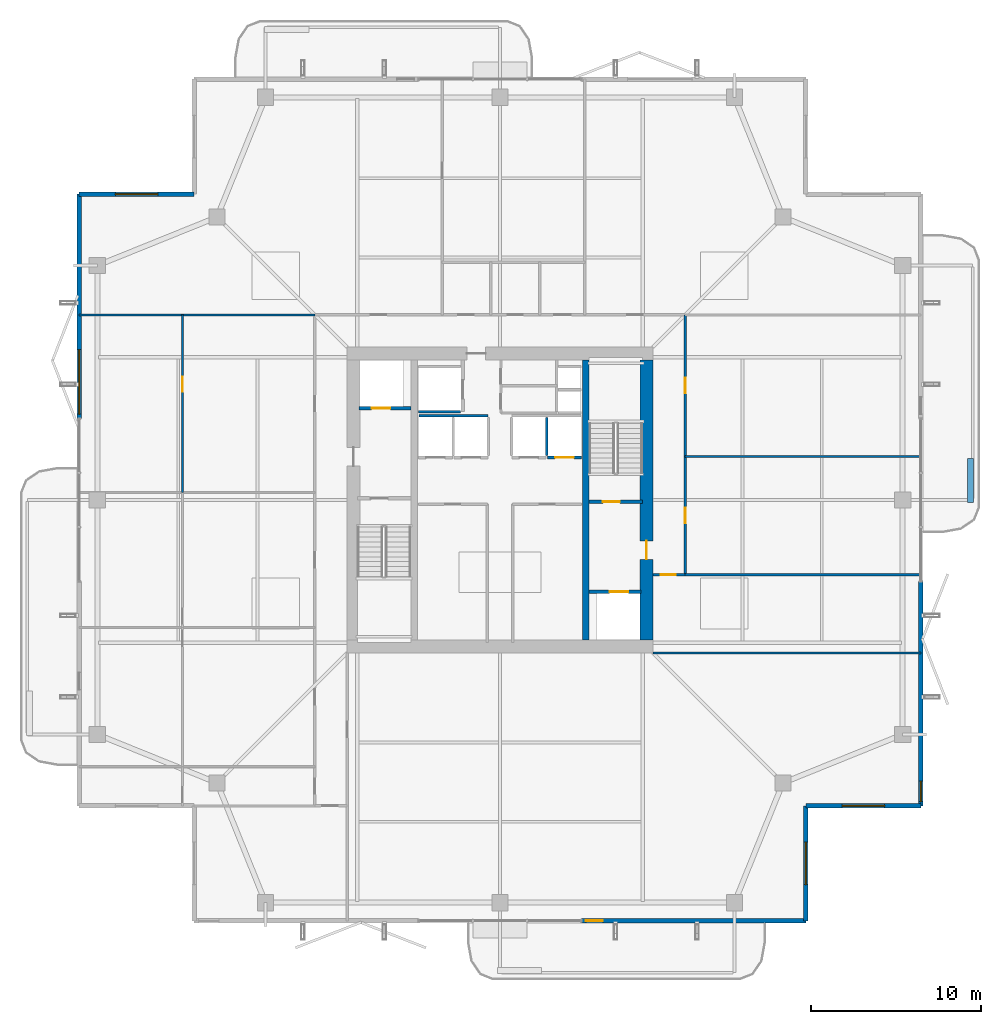
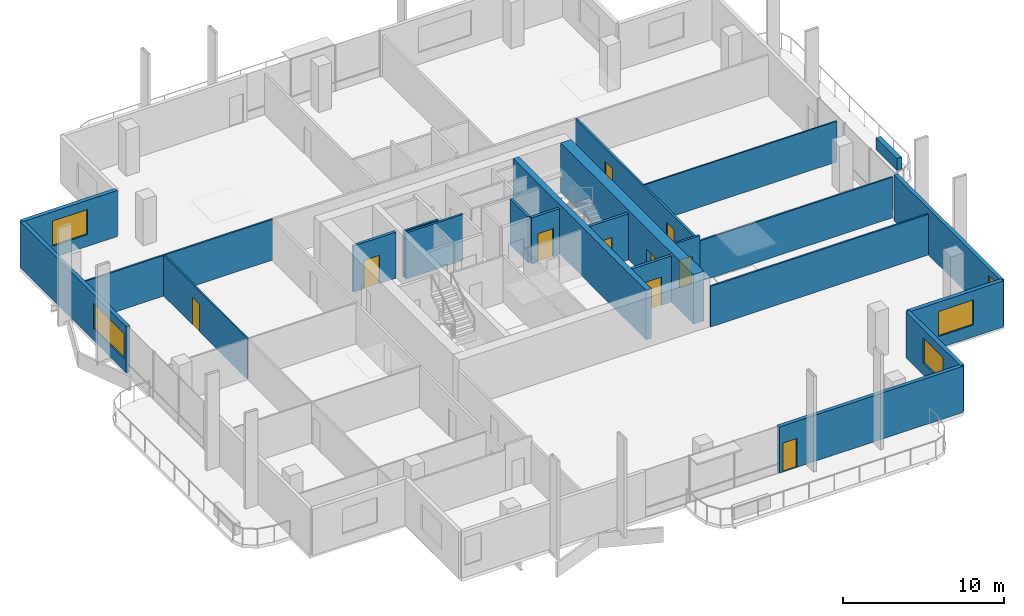
# One storey, part 19 of 25: 23 walls, 10 doors, 5 windows, 15 openings.
"""IFC4 building model written with IfcOpenShell, lengths in metres."""

from ifc_helpers import new_model, si_unit, direction, frame, frame_2d, origin, place, context, subcontext, project, spatial, rectangle, extrude, material, layer, layer_set, type_object, element, fill, save


model = new_model("IFC4")

# Units and contexts
model_context = context("Model", 3, precision=1e-05, world=origin(), true_north=direction((0.0, 1.0)))
body_context = subcontext(model_context, "Body", "Model", "MODEL_VIEW")
ifc_project = project(units=[si_unit("LENGTHUNIT", "METRE"), si_unit("AREAUNIT", "SQUARE_METRE"), si_unit("VOLUMEUNIT", "CUBIC_METRE"), si_unit("PLANEANGLEUNIT", "RADIAN"), si_unit("MASSUNIT", "GRAM", prefix="KILO")], contexts=[model_context])

# Site, building, storey
site_placement = place(None, origin())
site = spatial("IfcSite", under=ifc_project, at=site_placement, CompositionType="ELEMENT")
building_placement = place(site_placement, origin())
building = spatial("IfcBuilding", under=site, at=building_placement, Name="Belovzor Exchange Tower", CompositionType="ELEMENT")
storey_placement = place(building_placement, frame((0.0, 0.0, 257.85009765625)))
storey = spatial("IfcBuildingStorey", under=building, at=storey_placement, Name="L64", CompositionType="ELEMENT", Elevation=257.85009765625)

# Walls
ifc_material_1 = material(Name="Acoustic Plasterboard on Galvanised Studs", Category="gypsum")
ifc_layer_1 = layer(ifc_material_1, 0.1201171875)
ifc_layer_set_1 = layer_set([ifc_layer_1], Name="Acoustic Plasterboard on Galvanised Studs")
wall_type_1 = type_object("IfcWallType", Name="Acoustic Double-Stud Partition Wall 120", PredefinedType="PARTITIONING", material=ifc_layer_set_1)
wall_1_placement = place(storey_placement, frame((37.800048828125, 19.800048828125, 0.0), z_axis=(0.0, 0.0, 1.0), x_axis=(1.0, 0.0, 0.0)))
element("IfcWall", 1, at=wall_1_placement, inside=storey, type_object=wall_type_1, Name="W-P120 Partition Wall W-L64-ESS", PredefinedType="PARTITIONING", context=body_context, shape_type="SweptSolid", body=[
    extrude(rectangle(XDim=15.77001953125, YDim=0.1201171875, at=frame_2d((7.885009765625, 0.0))), origin(), (0.0, 0.0, 1.0), 3.0849609375),
])
wall_2_placement = place(storey_placement, frame((39.699951171875, 24.39990234375, 0.0), z_axis=(0.0, 0.0, 1.0), x_axis=(1.0, 0.0, 0.0)))
element("IfcWall", 2, at=wall_2_placement, inside=storey, type_object=wall_type_1, Name="W-P120 Partition Wall W-L64-ESN", PredefinedType="PARTITIONING", context=body_context, shape_type="SweptSolid", body=[
    extrude(rectangle(XDim=13.8701171875, YDim=0.1201171875, at=frame_2d((6.93505859375, 0.0))), origin(), (0.0, 0.0, 1.0), 3.0849609375),
])
wall_3_placement = place(storey_placement, frame((4.030029296875, 39.699951171875, 0.0), z_axis=(0.0, 0.0, 1.0), x_axis=(1.0, 0.0, 0.0)))
element("IfcWall", 3, at=wall_3_placement, inside=storey, type_object=wall_type_1, Name="W-P120 Partition Wall W-L64-END-NW", PredefinedType="PARTITIONING", context=body_context, shape_type="SweptSolid", body=[
    extrude(rectangle(XDim=13.869873046875, YDim=0.1201171875, at=frame_2d((6.93505859375, 0.0))), origin(), (0.0, 0.0, 1.0), 3.0849609375),
])

# Wall, opening, door
ifc_material_2 = material(Name="Acoustic Laminated Glass and Aluminium", Category="aluminium")
ifc_layer_2 = layer(ifc_material_2, 0.10009765625)
ifc_layer_set_2 = layer_set([ifc_layer_2], Name="Acoustic Laminated Glass and Aluminium")
wall_type_2 = type_object("IfcWallType", Name="Demountable Executive Glass Partition 100", PredefinedType="MOVABLE", material=ifc_layer_set_2)
wall_4_placement = place(storey_placement, frame((10.114990234375, 29.235107421875, 0.0), z_axis=(0.0, 0.0, 1.0), x_axis=(0.0, 1.0, 0.0)))
wall_4 = element("IfcWall", 4, at=wall_4_placement, inside=storey, type_object=wall_type_2, Name="W-M100 Partition Wall W-L64-WHDIV-3", PredefinedType="MOVABLE", context=body_context, shape_type="SweptSolid", body=[
    extrude(rectangle(XDim=10.46484375, YDim=0.10009765625, at=frame_2d((5.232421875, 0.0))), origin(), (0.0, 0.0, 1.0), 3.0849609375),
])
opening_1_placement = place(wall_4_placement, frame((5.927978515625, 0.0, 0.0)))
opening_1 = element("IfcOpeningElement", 5, at=opening_1_placement, cuts=wall_4, Name="Opening D-INT-090", PredefinedType="OPENING", context=body_context, shape_type="SweptSolid", body=[
    extrude(rectangle(XDim=0.89990234375, YDim=2.10009765625, at=frame_2d((0.449951171875, 1.050048828125))), frame((0.0, 0.06005859375, 0.0), z_axis=(0.0, -1.0, 0.0), x_axis=(1.0, 0.0, 0.0)), (0.0, 0.0, 1.0), 0.1201171875),
])
ifc_material_3 = material(Name="Veneered Hardwood Acoustic Leaf", Category="wood")
door_type_1 = type_object("IfcDoorType", Name="Trading Suite Acoustic Single Door 900x2100", OperationType="NOTDEFINED", PredefinedType="DOOR", material=ifc_material_3)
door_1_placement = place(opening_1_placement, origin())
door_1 = element("IfcDoor", 6, at=door_1_placement, inside=storey, type_object=door_type_1, Name="D-INT-090 Trading Suite Acoustic Single Door 900x2100", OperationType="SINGLE_SWING_LEFT", OverallHeight=2.10009765625, OverallWidth=0.89990234375, PredefinedType="DOOR", context=body_context, shape_type="SweptSolid", body=[
    extrude(rectangle(XDim=0.89990234375, YDim=2.10009765625, at=frame_2d((0.449951171875, 1.050048828125))), frame((0.0, 0.02490234375, 0.0), z_axis=(0.0, -1.0, 0.0), x_axis=(1.0, 0.0, 0.0)), (0.0, 0.0, 1.0), 0.050048828125),
])
fill(opening_1, door_1)

# Wall
wall_5_placement = place(storey_placement, frame((39.699951171875, 31.364013671875, 0.0), z_axis=(0.0, 0.0, 1.0), x_axis=(1.0, 0.0, 0.0)))
element("IfcWall", 7, at=wall_5_placement, inside=storey, type_object=wall_type_2, Name="W-M100 Partition Wall W-L64-EDIV-1", PredefinedType="MOVABLE", context=body_context, shape_type="SweptSolid", body=[
    extrude(rectangle(XDim=13.8701171875, YDim=0.10009765625, at=frame_2d((6.93505859375, 0.0))), origin(), (0.0, 0.0, 1.0), 3.0849609375),
])

# Wall, opening, door
ifc_material_4 = material(Name="Fire-Rated Gypsum Block and Mineral Wool", Category="gypsum")
ifc_layer_3 = layer(ifc_material_4, 0.14990234375)
ifc_layer_set_3 = layer_set([ifc_layer_3], Name="Fire-Rated Gypsum Block and Mineral Wool")
wall_type_3 = type_object("IfcWallType", Name="Fire-Rated Gypsum Block Corridor Wall 150", PredefinedType="PARTITIONING", material=ifc_layer_set_3)
wall_6_placement = place(storey_placement, frame((37.800048828125, 24.39990234375, 0.0), z_axis=(0.0, 0.0, 1.0), x_axis=(1.0, 0.0, 0.0)))
wall_6 = element("IfcWall", 8, at=wall_6_placement, inside=storey, type_object=wall_type_3, Name="W-P150 Partition Wall W-L64-CE-END", PredefinedType="PARTITIONING", context=body_context, shape_type="SweptSolid", body=[
    extrude(rectangle(XDim=1.89990234375, YDim=0.14990234375, at=frame_2d((0.949951171875, 0.0))), origin(), (0.0, 0.0, 1.0), 3.5),
])
opening_2_placement = place(wall_6_placement, frame((0.449951171875, 0.0, 0.0)))
opening_2 = element("IfcOpeningElement", 9, at=opening_2_placement, cuts=wall_6, Name="Opening D-FD60-090", PredefinedType="OPENING", context=body_context, shape_type="SweptSolid", body=[
    extrude(rectangle(XDim=0.89990234375, YDim=2.10009765625, at=frame_2d((0.449951171875, 1.050048828125))), frame((0.0, 0.0849609375, 0.0), z_axis=(0.0, -1.0, 0.0), x_axis=(1.0, 0.0, 0.0)), (0.0, 0.0, 1.0), 0.169921875),
])
ifc_material_5 = material(Name="Acoustic Timber Fire Leaf", Category="wood")
door_type_2 = type_object("IfcDoorType", Name="Core Service & Restroom Fire Door 900x2100", OperationType="NOTDEFINED", PredefinedType="DOOR", material=ifc_material_5)
door_2_placement = place(opening_2_placement, origin())
door_2 = element("IfcDoor", 10, at=door_2_placement, inside=storey, type_object=door_type_2, Name="D-FD60-090 Core Service & Restroom Fire Door 900x2100", OperationType="SINGLE_SWING_LEFT", OverallHeight=2.10009765625, OverallWidth=0.89990234375, PredefinedType="DOOR", context=body_context, shape_type="SweptSolid", body=[
    extrude(rectangle(XDim=0.89990234375, YDim=2.10009765625, at=frame_2d((0.449951171875, 1.050048828125))), frame((0.0, 0.02490234375, 0.0), z_axis=(0.0, -1.0, 0.0), x_axis=(1.0, 0.0, 0.0)), (0.0, 0.0, 1.0), 0.050048828125),
])
fill(opening_2, door_2)

# Wall, openings, doors
wall_7_placement = place(storey_placement, frame((39.699951171875, 24.39990234375, 0.0), z_axis=(0.0, 0.0, 1.0), x_axis=(0.0, 1.0, 0.0)))
wall_7 = element("IfcWall", 11, at=wall_7_placement, inside=storey, type_object=wall_type_3, Name="W-P150 Partition Wall W-L64-CE", PredefinedType="PARTITIONING", context=body_context, shape_type="SweptSolid", body=[
    extrude(rectangle(XDim=15.300048828125, YDim=0.14990234375, at=frame_2d((7.64990234375, 0.0))), origin(), (0.0, 0.0, 1.0), 3.0849609375),
])
opening_3_placement = place(wall_7_placement, frame((3.031982421875, 0.0, 0.0)))
opening_3 = element("IfcOpeningElement", 12, at=opening_3_placement, cuts=wall_7, Name="Opening D-INT-090", PredefinedType="OPENING", context=body_context, shape_type="SweptSolid", body=[
    extrude(rectangle(XDim=0.89990234375, YDim=2.10009765625, at=frame_2d((0.449951171875, 1.050048828125))), frame((0.0, 0.0849609375, 0.0), z_axis=(0.0, -1.0, 0.0), x_axis=(1.0, 0.0, 0.0)), (0.0, 0.0, 1.0), 0.169921875),
])
opening_4_placement = place(wall_7_placement, frame((10.681884765625, 0.0, 0.0)))
opening_4 = element("IfcOpeningElement", 13, at=opening_4_placement, cuts=wall_7, Name="Opening D-INT-090", PredefinedType="OPENING", context=body_context, shape_type="SweptSolid", body=[
    extrude(rectangle(XDim=0.89990234375, YDim=2.10009765625, at=frame_2d((0.449951171875, 1.050048828125))), frame((0.0, 0.0849609375, 0.0), z_axis=(0.0, -1.0, 0.0), x_axis=(1.0, 0.0, 0.0)), (0.0, 0.0, 1.0), 0.169921875),
])
door_3_placement = place(opening_3_placement, origin())
door_3 = element("IfcDoor", 14, at=door_3_placement, inside=storey, type_object=door_type_1, Name="D-INT-090 Trading Suite Acoustic Single Door 900x2100", OperationType="SINGLE_SWING_RIGHT", OverallHeight=2.10009765625, OverallWidth=0.89990234375, PredefinedType="DOOR", context=body_context, shape_type="SweptSolid", body=[
    extrude(rectangle(XDim=0.89990234375, YDim=2.10009765625, at=frame_2d((0.449951171875, 1.050048828125))), frame((0.0, 0.02490234375, 0.0), z_axis=(0.0, -1.0, 0.0), x_axis=(1.0, 0.0, 0.0)), (0.0, 0.0, 1.0), 0.050048828125),
])
fill(opening_3, door_3)
door_4_placement = place(opening_4_placement, origin())
door_4 = element("IfcDoor", 15, at=door_4_placement, inside=storey, type_object=door_type_1, Name="D-INT-090 Trading Suite Acoustic Single Door 900x2100", OperationType="SINGLE_SWING_LEFT", OverallHeight=2.10009765625, OverallWidth=0.89990234375, PredefinedType="DOOR", context=body_context, shape_type="SweptSolid", body=[
    extrude(rectangle(XDim=0.89990234375, YDim=2.10009765625, at=frame_2d((0.449951171875, 1.050048828125))), frame((0.0, 0.02490234375, 0.0), z_axis=(0.0, -1.0, 0.0), x_axis=(1.0, 0.0, 0.0)), (0.0, 0.0, 1.0), 0.050048828125),
])
fill(opening_4, door_4)

# Wall, opening, window
ifc_material_6 = material(Name="Precast concrete C40/50", Category="concrete")
ifc_layer_4 = layer(ifc_material_6, 0.280029296875)
ifc_layer_set_4 = layer_set([ifc_layer_4], Name="Precast concrete C40/50")
wall_type_4 = type_object("IfcWallType", Name="Precast Concrete Notched Corner Frame Wall 280", PredefinedType="SOLIDWALL", material=ifc_layer_set_4)
wall_8_placement = place(storey_placement, frame((4.030029296875, 46.800048828125, 0.0), z_axis=(0.0, 0.0, 1.0), x_axis=(1.0, 0.0, 0.0)))
wall_8 = element("IfcWall", 16, at=wall_8_placement, inside=storey, type_object=wall_type_4, Name="W-CRN280 Precast Concrete Notched Corner Frame Wall 280 L64", PredefinedType="SOLIDWALL", context=body_context, shape_type="SweptSolid", body=[
    extrude(rectangle(XDim=6.77001953125, YDim=0.280029296875, at=frame_2d((3.385009765625, 0.0))), origin(), (0.0, 0.0, 1.0), 3.5),
])
opening_5_placement = place(wall_8_placement, frame((2.135009765625, 0.0, 0.89990234375)))
opening_5 = element("IfcOpeningElement", 17, at=opening_5_placement, cuts=wall_8, Name="Opening WN-CRN250", PredefinedType="OPENING", context=body_context, shape_type="SweptSolid", body=[
    extrude(rectangle(XDim=2.5, YDim=1.89990234375, at=frame_2d((1.25, 0.949951171875))), frame((0.0, 0.14990234375, 0.0), z_axis=(0.0, -1.0, 0.0), x_axis=(1.0, 0.0, 0.0)), (0.0, 0.0, 1.0), 0.300048828125),
])
ifc_material_7 = material(Name="Thermally Broken Aluminium and Triple Glazing", Category="aluminium")
window_type_1 = type_object("IfcWindowType", Name="Streamline Moderne Corner Wrap Ribbon Window 2500x1900", PartitioningType="SINGLE_PANEL", PredefinedType="WINDOW", material=ifc_material_7)
window_1_placement = place(opening_5_placement, origin())
window_1 = element("IfcWindow", 18, at=window_1_placement, inside=storey, type_object=window_type_1, Name="WN-CRN250 Streamline Moderne Corner Wrap Ribbon Window 2500x1900", OverallHeight=1.89990234375, OverallWidth=2.5, PartitioningType="SINGLE_PANEL", PredefinedType="WINDOW", context=body_context, shape_type="SweptSolid", body=[
    extrude(rectangle(XDim=2.5, YDim=1.89990234375, at=frame_2d((1.25, 0.949951171875))), frame((0.0, 0.030029296875, 0.0), z_axis=(0.0, -1.0, 0.0), x_axis=(1.0, 0.0, 0.0)), (0.0, 0.0, 1.0), 0.06005859375),
])
fill(opening_5, window_1)

wall_9_placement = place(storey_placement, frame((53.570068359375, 10.800048828125, 0.0), z_axis=(0.0, 0.0, 1.0), x_axis=(-1.0, 0.0, 0.0)))
wall_9 = element("IfcWall", 19, at=wall_9_placement, inside=storey, type_object=wall_type_4, Name="W-CRN280 Precast Concrete Notched Corner Frame Wall 280 L64", PredefinedType="SOLIDWALL", context=body_context, shape_type="SweptSolid", body=[
    extrude(rectangle(XDim=6.77001953125, YDim=0.280029296875, at=frame_2d((3.385009765625, 0.0))), origin(), (0.0, 0.0, 1.0), 3.5),
])
opening_6_placement = place(wall_9_placement, frame((2.135009765625, 0.0, 0.89990234375)))
opening_6 = element("IfcOpeningElement", 20, at=opening_6_placement, cuts=wall_9, Name="Opening WN-CRN250", PredefinedType="OPENING", context=body_context, shape_type="SweptSolid", body=[
    extrude(rectangle(XDim=2.5, YDim=1.89990234375, at=frame_2d((1.25, 0.949951171875))), frame((0.0, 0.14990234375, 0.0), z_axis=(0.0, -1.0, 0.0), x_axis=(1.0, 0.0, 0.0)), (0.0, 0.0, 1.0), 0.300048828125),
])
window_2_placement = place(opening_6_placement, origin())
window_2 = element("IfcWindow", 21, at=window_2_placement, inside=storey, type_object=window_type_1, Name="WN-CRN250 Streamline Moderne Corner Wrap Ribbon Window 2500x1900", OverallHeight=1.89990234375, OverallWidth=2.5, PartitioningType="SINGLE_PANEL", PredefinedType="WINDOW", context=body_context, shape_type="SweptSolid", body=[
    extrude(rectangle(XDim=2.5, YDim=1.89990234375, at=frame_2d((1.25, 0.949951171875))), frame((0.0, 0.030029296875, 0.0), z_axis=(0.0, -1.0, 0.0), x_axis=(1.0, 0.0, 0.0)), (0.0, 0.0, 1.0), 0.06005859375),
])
fill(opening_6, window_2)

wall_10_placement = place(storey_placement, frame((46.800048828125, 10.800048828125, 0.0), z_axis=(0.0, 0.0, 1.0), x_axis=(0.0, -1.0, 0.0)))
wall_10 = element("IfcWall", 22, at=wall_10_placement, inside=storey, type_object=wall_type_4, Name="W-CRN280 Precast Concrete Notched Corner Frame Wall 280 L64", PredefinedType="SOLIDWALL", context=body_context, shape_type="SweptSolid", body=[
    extrude(rectangle(XDim=6.77001953125, YDim=0.280029296875, at=frame_2d((3.385009765625, 0.0))), origin(), (0.0, 0.0, 1.0), 3.5),
])
opening_7_placement = place(wall_10_placement, frame((2.135009765625, 0.0, 0.89990234375)))
opening_7 = element("IfcOpeningElement", 23, at=opening_7_placement, cuts=wall_10, Name="Opening WN-CRN250", PredefinedType="OPENING", context=body_context, shape_type="SweptSolid", body=[
    extrude(rectangle(XDim=2.5, YDim=1.89990234375, at=frame_2d((1.25, 0.949951171875))), frame((0.0, 0.14990234375, 0.0), z_axis=(0.0, -1.0, 0.0), x_axis=(1.0, 0.0, 0.0)), (0.0, 0.0, 1.0), 0.300048828125),
])
window_3_placement = place(opening_7_placement, origin())
window_3 = element("IfcWindow", 24, at=window_3_placement, inside=storey, type_object=window_type_1, Name="WN-CRN250 Streamline Moderne Corner Wrap Ribbon Window 2500x1900", OverallHeight=1.89990234375, OverallWidth=2.5, PartitioningType="SINGLE_PANEL", PredefinedType="WINDOW", context=body_context, shape_type="SweptSolid", body=[
    extrude(rectangle(XDim=2.5, YDim=1.89990234375, at=frame_2d((1.25, 0.949951171875))), frame((0.0, 0.030029296875, 0.0), z_axis=(0.0, -1.0, 0.0), x_axis=(1.0, 0.0, 0.0)), (0.0, 0.0, 1.0), 0.06005859375),
])
fill(opening_7, window_3)

# Wall, opening, door
ifc_material_8 = material(Name="Precast concrete C40/50", Category="concrete")
ifc_layer_5 = layer(ifc_material_8, 0.260009765625)
ifc_layer_set_5 = layer_set([ifc_layer_5], Name="Precast concrete C40/50")
wall_type_5 = type_object("IfcWallType", Name="Precast Concrete Perimeter Loggia Frame Wall 260", PredefinedType="SOLIDWALL", material=ifc_layer_set_5)
wall_11_placement = place(storey_placement, frame((46.800048828125, 4.030029296875, 0.0), z_axis=(0.0, 0.0, 1.0), x_axis=(-1.0, 0.0, 0.0)))
wall_11 = element("IfcWall", 25, at=wall_11_placement, inside=storey, type_object=wall_type_5, Name="W-EXT260 Precast Concrete Perimeter Loggia Frame Wall 260 L64", PredefinedType="SOLIDWALL", context=body_context, shape_type="SweptSolid", body=[
    extrude(rectangle(XDim=13.199951171875, YDim=0.260009765625, at=frame_2d((6.60009765625, 0.0))), origin(), (0.0, 0.0, 1.0), 3.5),
])
opening_8_placement = place(wall_11_placement, frame((11.949951171875, 0.0, 0.0)))
opening_8 = element("IfcOpeningElement", 26, at=opening_8_placement, cuts=wall_11, Name="Opening D-BAL100", PredefinedType="OPENING", context=body_context, shape_type="SweptSolid", body=[
    extrude(rectangle(XDim=1.0, YDim=2.199951171875, at=frame_2d((0.5, 1.10009765625))), frame((0.0, 0.139892578125, 0.0), z_axis=(0.0, -1.0, 0.0), x_axis=(1.0, 0.0, 0.0)), (0.0, 0.0, 1.0), 0.280029296875),
])
ifc_material_9 = material(Name="Thermally Broken Anodised Aluminium and Laminated Glass", Category="aluminium")
door_type_3 = type_object("IfcDoorType", Name="Planted Loggia Terrace Glazed Door 1000x2200", OperationType="SINGLE_SWING_LEFT", PredefinedType="DOOR", material=ifc_material_9)
door_5_placement = place(opening_8_placement, origin())
door_5 = element("IfcDoor", 27, at=door_5_placement, inside=storey, type_object=door_type_3, Name="D-BAL100 Balcony Terrace Door L64 S", OperationType="SINGLE_SWING_LEFT", OverallHeight=2.199951171875, OverallWidth=1.0, PredefinedType="DOOR", context=body_context, shape_type="SweptSolid", body=[
    extrude(rectangle(XDim=1.0, YDim=2.199951171875, at=frame_2d((0.5, 1.10009765625))), frame((0.0, 0.02490234375, 0.0), z_axis=(0.0, -1.0, 0.0), x_axis=(1.0, 0.0, 0.0)), (0.0, 0.0, 1.0), 0.050048828125),
])
fill(opening_8, door_5)

# Wall, opening, window
wall_12_placement = place(storey_placement, frame((4.030029296875, 33.60009765625, 0.0), z_axis=(0.0, 0.0, 1.0), x_axis=(0.0, 1.0, 0.0)))
wall_12 = element("IfcWall", 28, at=wall_12_placement, inside=storey, type_object=wall_type_5, Name="W-EXT260 Precast Concrete Perimeter Loggia Frame Wall 260 L64", PredefinedType="SOLIDWALL", context=body_context, shape_type="SweptSolid", body=[
    extrude(rectangle(XDim=13.199951171875, YDim=0.260009765625, at=frame_2d((6.60009765625, 0.0))), origin(), (0.0, 0.0, 1.0), 3.5),
])
opening_9_placement = place(wall_12_placement, frame((0.25, 0.0, 0.89990234375)))
opening_9 = element("IfcOpeningElement", 29, at=opening_9_placement, cuts=wall_12, Name="Opening WN-RIB380", PredefinedType="OPENING", context=body_context, shape_type="SweptSolid", body=[
    extrude(rectangle(XDim=3.800048828125, YDim=1.89990234375, at=frame_2d((1.89990234375, 0.949951171875))), frame((0.0, 0.139892578125, 0.0), z_axis=(0.0, -1.0, 0.0), x_axis=(1.0, 0.0, 0.0)), (0.0, 0.0, 1.0), 0.280029296875),
])
ifc_material_10 = material(Name="Thermally Broken Aluminium and Triple Glazing", Category="aluminium")
window_type_2 = type_object("IfcWindowType", Name="Streamline Moderne Horizontal Ribbon Window 3800x1900", PartitioningType="SINGLE_PANEL", PredefinedType="WINDOW", material=ifc_material_10)
window_4_placement = place(opening_9_placement, origin())
window_4 = element("IfcWindow", 30, at=window_4_placement, inside=storey, type_object=window_type_2, Name="WN-RIB380 Streamline Moderne Horizontal Ribbon Window 3800x1900", OverallHeight=1.89990234375, OverallWidth=3.800048828125, PartitioningType="SINGLE_PANEL", PredefinedType="WINDOW", context=body_context, shape_type="SweptSolid", body=[
    extrude(rectangle(XDim=3.800048828125, YDim=1.89990234375, at=frame_2d((1.89990234375, 0.949951171875))), frame((0.0, 0.030029296875, 0.0), z_axis=(0.0, -1.0, 0.0), x_axis=(1.0, 0.0, 0.0)), (0.0, 0.0, 1.0), 0.06005859375),
])
fill(opening_9, window_4)

wall_13_placement = place(storey_placement, frame((53.570068359375, 24.0, 0.0), z_axis=(0.0, 0.0, 1.0), x_axis=(0.0, -1.0, 0.0)))
wall_13 = element("IfcWall", 31, at=wall_13_placement, inside=storey, type_object=wall_type_5, Name="W-EXT260 Precast Concrete Perimeter Loggia Frame Wall 260 L64", PredefinedType="SOLIDWALL", context=body_context, shape_type="SweptSolid", body=[
    extrude(rectangle(XDim=13.199951171875, YDim=0.260009765625, at=frame_2d((6.60009765625, 0.0))), origin(), (0.0, 0.0, 1.0), 3.5),
])
opening_10_placement = place(wall_13_placement, frame((11.75, 0.0, 0.89990234375)))
opening_10 = element("IfcOpeningElement", 32, at=opening_10_placement, cuts=wall_13, Name="Opening WN-CRN120", PredefinedType="OPENING", context=body_context, shape_type="SweptSolid", body=[
    extrude(rectangle(XDim=1.199951171875, YDim=2.10009765625, at=frame_2d((0.60009765625, 1.050048828125))), frame((0.0, 0.139892578125, 0.0), z_axis=(0.0, -1.0, 0.0), x_axis=(1.0, 0.0, 0.0)), (0.0, 0.0, 1.0), 0.280029296875),
])
ifc_material_11 = material(Name="Thermally Broken Aluminium and Triple Glazing", Category="aluminium")
window_type_3 = type_object("IfcWindowType", Name="Streamline Notched Corner Window 1200x2100", PartitioningType="SINGLE_PANEL", PredefinedType="WINDOW", material=ifc_material_11)
window_5_placement = place(opening_10_placement, origin())
window_5 = element("IfcWindow", 33, at=window_5_placement, inside=storey, type_object=window_type_3, Name="WN-CRN120 Streamline Notched Corner Window 1200x2100", OverallHeight=2.10009765625, OverallWidth=1.199951171875, PartitioningType="SINGLE_PANEL", PredefinedType="WINDOW", context=body_context, shape_type="SweptSolid", body=[
    extrude(rectangle(XDim=1.199951171875, YDim=2.10009765625, at=frame_2d((0.60009765625, 1.050048828125))), frame((0.0, 0.030029296875, 0.0), z_axis=(0.0, -1.0, 0.0), x_axis=(1.0, 0.0, 0.0)), (0.0, 0.0, 1.0), 0.06005859375),
])
fill(opening_10, window_5)

# Walls
ifc_material_12 = material(Name="Precast concrete C40/50", Category="concrete")
ifc_layer_6 = layer(ifc_material_12, 0.35009765625)
ifc_layer_set_6 = layer_set([ifc_layer_6], Name="Precast concrete C40/50")
wall_type_6 = type_object("IfcWallType", Name="Precast Concrete Structural Tree Planter Trough 350", PredefinedType="PARAPET", material=ifc_layer_set_6)
wall_14_placement = place(storey_placement, frame((56.5, 28.64990234375, 0.0), z_axis=(0.0, 0.0, 1.0), x_axis=(0.0, 1.0, 0.0)))
element("IfcWall", 34, at=wall_14_placement, inside=storey, type_object=wall_type_6, Name="PT-350 Precast Concrete Structural Tree Planter Trough 350 L64", PredefinedType="PARAPET", context=body_context, shape_type="SweptSolid", body=[
    extrude(rectangle(XDim=2.60009765625, YDim=0.35009765625, at=frame_2d((1.300048828125, 0.0))), origin(), (0.0, 0.0, 1.0), 0.89990234375),
])
ifc_material_13 = material(Name="Concrete C50/60", Category="concrete")
ifc_layer_7 = layer(ifc_material_13, 0.39990234375)
ifc_layer_set_7 = layer_set([ifc_layer_7], Name="Concrete C50/60")
wall_type_7 = type_object("IfcWallType", Name="Reinforced Concrete Core Internal Web Wall 400", PredefinedType="SHEAR", material=ifc_layer_set_7)
wall_15_placement = place(storey_placement, frame((33.85009765625, 20.550048828125, 0.0), z_axis=(0.0, 0.0, 1.0), x_axis=(0.0, 1.0, 0.0)))
element("IfcWall", 35, at=wall_15_placement, inside=storey, type_object=wall_type_7, Name="CW-W040 Core Internal Web Wall L64 ER", PredefinedType="SHEAR", context=body_context, shape_type="SweptSolid", body=[
    extrude(rectangle(XDim=16.5, YDim=0.39990234375, at=frame_2d((8.25, 0.0))), origin(), (0.0, 0.0, 1.0), 3.75),
])
ifc_material_14 = material(Name="Concrete C50/60", Category="concrete")
ifc_layer_8 = layer(ifc_material_14, 0.14990234375)
ifc_layer_set_8 = layer_set([ifc_layer_8], Name="Concrete C50/60")
wall_type_8 = type_object("IfcWallType", Name="Reinforced Concrete Core Riser Shear Wall 150", PredefinedType="SHEAR", material=ifc_layer_set_8)
wall_16_placement = place(storey_placement, frame((24.0, 34.0, 0.0), z_axis=(0.0, 0.0, 1.0), x_axis=(1.0, 0.0, 0.0)))
element("IfcWall", 36, at=wall_16_placement, inside=storey, type_object=wall_type_8, Name="W-C150S Core Shaft Wall W-SH-L64-SL-01S", PredefinedType="SHEAR", context=body_context, shape_type="SweptSolid", body=[
    extrude(rectangle(XDim=2.47998046875, YDim=0.14990234375, at=frame_2d((1.239990234375, 0.0))), origin(), (0.0, 0.0, 1.0), 3.5),
])
wall_17_placement = place(storey_placement, frame((24.02001953125, 33.760009765625, 0.0), z_axis=(0.0, 0.0, 1.0), x_axis=(1.0, 0.0, 0.0)))
element("IfcWall", 37, at=wall_17_placement, inside=storey, type_object=wall_type_8, Name="W-C150S Core Shaft Wall W-SHB-L64-PLH-NW", PredefinedType="SHEAR", context=body_context, shape_type="SweptSolid", body=[
    extrude(rectangle(XDim=4.080078125, YDim=0.14990234375, at=frame_2d((2.0400390625, 0.0))), origin(), (0.0, 0.0, 1.0), 3.5),
])
wall_18_placement = place(storey_placement, frame((31.550048828125, 31.419921875, 0.0), z_axis=(0.0, 0.0, 1.0), x_axis=(0.0, 1.0, 0.0)))
element("IfcWall", 38, at=wall_18_placement, inside=storey, type_object=wall_type_8, Name="W-C150S Core Shaft Wall W-SHD-L64-PLH-4", PredefinedType="SHEAR", context=body_context, shape_type="SweptSolid", body=[
    extrude(rectangle(XDim=2.239990234375, YDim=0.14990234375, at=frame_2d((1.1201171875, 0.0))), origin(), (0.0, 0.0, 1.0), 3.5),
])

# Wall, opening, door
ifc_material_15 = material(Name="Concrete C50/60", Category="concrete")
ifc_layer_9 = layer(ifc_material_15, 0.199951171875)
ifc_layer_set_9 = layer_set([ifc_layer_9], Name="Concrete C50/60")
wall_type_9 = type_object("IfcWallType", Name="Reinforced Concrete Core Shaft Shear Wall 200", PredefinedType="SHEAR", material=ifc_layer_set_9)
wall_19_placement = place(storey_placement, frame((34.050048828125, 28.699951171875, 0.0), z_axis=(0.0, 0.0, 1.0), x_axis=(1.0, 0.0, 0.0)))
wall_19 = element("IfcWall", 39, at=wall_19_placement, inside=storey, type_object=wall_type_9, Name="W-C200S Core Shaft Wall W-CORE-L64-FFLE2", PredefinedType="SHEAR", context=body_context, shape_type="SweptSolid", body=[
    extrude(rectangle(XDim=3.14990234375, YDim=0.199951171875, at=frame_2d((1.574951171875, 0.0))), origin(), (0.0, 0.0, 1.0), 3.5),
])
opening_11_placement = place(wall_19_placement, frame((0.800048828125, 0.0, 0.0)))
opening_11 = element("IfcOpeningElement", 40, at=opening_11_placement, cuts=wall_19, Name="Opening D-FD90-100", PredefinedType="OPENING", context=body_context, shape_type="SweptSolid", body=[
    extrude(rectangle(XDim=1.0, YDim=2.10009765625, at=frame_2d((0.5, 1.050048828125))), frame((0.0, 0.10986328125, 0.0), z_axis=(0.0, -1.0, 0.0), x_axis=(1.0, 0.0, 0.0)), (0.0, 0.0, 1.0), 0.219970703125),
])
ifc_material_16 = material(Name="Fire-Rated Galvanised Steel Leaf", Category="steel")
door_type_4 = type_object("IfcDoorType", Name="Protected Stairwell Single Fire Door 1000x2100", OperationType="NOTDEFINED", PredefinedType="DOOR", material=ifc_material_16)
door_6_placement = place(opening_11_placement, origin())
door_6 = element("IfcDoor", 41, at=door_6_placement, inside=storey, type_object=door_type_4, Name="D-FD90-100 Protected Stairwell Single Fire Door 1000x2100", OperationType="SINGLE_SWING_LEFT", OverallHeight=2.10009765625, OverallWidth=1.0, PredefinedType="DOOR", context=body_context, shape_type="SweptSolid", body=[
    extrude(rectangle(XDim=1.0, YDim=2.10009765625, at=frame_2d((0.5, 1.050048828125))), frame((0.0, 0.02490234375, 0.0), z_axis=(0.0, -1.0, 0.0), x_axis=(1.0, 0.0, 0.0)), (0.0, 0.0, 1.0), 0.050048828125),
])
fill(opening_11, door_6)

wall_20_placement = place(storey_placement, frame((20.5, 34.199951171875, 0.0), z_axis=(0.0, 0.0, 1.0), x_axis=(1.0, 0.0, 0.0)))
wall_20 = element("IfcWall", 42, at=wall_20_placement, inside=storey, type_object=wall_type_9, Name="W-C200S Core Shaft Wall W-SH-L64-FFL-01", PredefinedType="SHEAR", context=body_context, shape_type="SweptSolid", body=[
    extrude(rectangle(XDim=3.050048828125, YDim=0.199951171875, at=frame_2d((1.52490234375, 0.0))), origin(), (0.0, 0.0, 1.0), 3.5),
])
opening_12_placement = place(wall_20_placement, frame((0.75, 0.0, 0.0)))
opening_12 = element("IfcOpeningElement", 43, at=opening_12_placement, cuts=wall_20, Name="Opening LD-110", PredefinedType="OPENING", context=body_context, shape_type="SweptSolid", body=[
    extrude(rectangle(XDim=1.10009765625, YDim=2.14990234375, at=frame_2d((0.550048828125, 1.074951171875))), frame((0.0, 0.10986328125, 0.0), z_axis=(0.0, -1.0, 0.0), x_axis=(1.0, 0.0, 0.0)), (0.0, 0.0, 1.0), 0.219970703125),
])
ifc_material_17 = material(Name="Stainless Steel Grade 304", Category="steel")
door_type_5 = type_object("IfcDoorType", Name="Automated Stainless Steel Lift Landing Door 1100x2150", OperationType="SLIDING_TO_RIGHT", PredefinedType="DOOR", material=ifc_material_17)
door_7_placement = place(opening_12_placement, origin())
door_7 = element("IfcDoor", 44, at=door_7_placement, inside=storey, type_object=door_type_5, Name="LD-110 Automated Stainless Steel Lift Landing Door 1100x2150", OperationType="SLIDING_TO_RIGHT", OverallHeight=2.14990234375, OverallWidth=1.10009765625, PredefinedType="DOOR", context=body_context, shape_type="SweptSolid", body=[
    extrude(rectangle(XDim=1.10009765625, YDim=2.14990234375, at=frame_2d((0.550048828125, 1.074951171875))), frame((0.0, 0.02490234375, 0.0), z_axis=(0.0, -1.0, 0.0), x_axis=(1.0, 0.0, 0.0)), (0.0, 0.0, 1.0), 0.050048828125),
])
fill(opening_12, door_7)

wall_21_placement = place(storey_placement, frame((34.050048828125, 23.39990234375, 0.0), z_axis=(0.0, 0.0, 1.0), x_axis=(1.0, 0.0, 0.0)))
wall_21 = element("IfcWall", 45, at=wall_21_placement, inside=storey, type_object=wall_type_9, Name="W-C200S Core Shaft Wall W-SH-L64-FFL-02", PredefinedType="SHEAR", context=body_context, shape_type="SweptSolid", body=[
    extrude(rectangle(XDim=3.050048828125, YDim=0.199951171875, at=frame_2d((1.52490234375, 0.0))), origin(), (0.0, 0.0, 1.0), 3.5),
])
opening_13_placement = place(wall_21_placement, frame((1.199951171875, 0.0, 0.0)))
opening_13 = element("IfcOpeningElement", 46, at=opening_13_placement, cuts=wall_21, Name="Opening LD-110", PredefinedType="OPENING", context=body_context, shape_type="SweptSolid", body=[
    extrude(rectangle(XDim=1.10009765625, YDim=2.14990234375, at=frame_2d((0.550048828125, 1.074951171875))), frame((0.0, 0.10986328125, 0.0), z_axis=(0.0, -1.0, 0.0), x_axis=(1.0, 0.0, 0.0)), (0.0, 0.0, 1.0), 0.219970703125),
])
door_8_placement = place(opening_13_placement, origin())
door_8 = element("IfcDoor", 47, at=door_8_placement, inside=storey, type_object=door_type_5, Name="LD-110 Automated Stainless Steel Lift Landing Door 1100x2150", OperationType="SLIDING_TO_RIGHT", OverallHeight=2.14990234375, OverallWidth=1.10009765625, PredefinedType="DOOR", context=body_context, shape_type="SweptSolid", body=[
    extrude(rectangle(XDim=1.10009765625, YDim=2.14990234375, at=frame_2d((0.550048828125, 1.074951171875))), frame((0.0, 0.02490234375, 0.0), z_axis=(0.0, -1.0, 0.0), x_axis=(1.0, 0.0, 0.0)), (0.0, 0.0, 1.0), 0.050048828125),
])
fill(opening_13, door_8)

wall_22_placement = place(storey_placement, frame((31.60009765625, 31.300048828125, 0.0), z_axis=(0.0, 0.0, 1.0), x_axis=(1.0, 0.0, 0.0)))
wall_22 = element("IfcWall", 48, at=wall_22_placement, inside=storey, type_object=wall_type_9, Name="W-C200S Core Shaft Wall W-SH-L64-PL-H4", PredefinedType="SHEAR", context=body_context, shape_type="SweptSolid", body=[
    extrude(rectangle(XDim=2.0, YDim=0.199951171875, at=frame_2d((1.0, 0.0))), origin(), (0.0, 0.0, 1.0), 3.5),
])
opening_14_placement = place(wall_22_placement, frame((0.449951171875, 0.0, 0.0)))
opening_14 = element("IfcOpeningElement", 49, at=opening_14_placement, cuts=wall_22, Name="Opening LD-110", PredefinedType="OPENING", context=body_context, shape_type="SweptSolid", body=[
    extrude(rectangle(XDim=1.10009765625, YDim=2.14990234375, at=frame_2d((0.550048828125, 1.074951171875))), frame((0.0, 0.10986328125, 0.0), z_axis=(0.0, -1.0, 0.0), x_axis=(1.0, 0.0, 0.0)), (0.0, 0.0, 1.0), 0.219970703125),
])
door_9_placement = place(opening_14_placement, origin())
door_9 = element("IfcDoor", 50, at=door_9_placement, inside=storey, type_object=door_type_5, Name="LD-110 Automated Stainless Steel Lift Landing Door 1100x2150", OperationType="SLIDING_TO_RIGHT", OverallHeight=2.14990234375, OverallWidth=1.10009765625, PredefinedType="DOOR", context=body_context, shape_type="SweptSolid", body=[
    extrude(rectangle(XDim=1.10009765625, YDim=2.14990234375, at=frame_2d((0.550048828125, 1.074951171875))), frame((0.0, 0.02490234375, 0.0), z_axis=(0.0, -1.0, 0.0), x_axis=(1.0, 0.0, 0.0)), (0.0, 0.0, 1.0), 0.050048828125),
])
fill(opening_14, door_9)

ifc_material_18 = material(Name="Concrete C50/60", Category="concrete")
ifc_layer_10 = layer(ifc_material_18, 0.75)
ifc_layer_set_10 = layer_set([ifc_layer_10], Name="Concrete C50/60")
wall_type_10 = type_object("IfcWallType", Name="Reinforced Concrete Core Shear Wall 750", PredefinedType="SHEAR", material=ifc_layer_set_10)
wall_23_placement = place(storey_placement, frame((37.425048828125, 20.550048828125, 0.0), z_axis=(0.0, 0.0, 1.0), x_axis=(0.0, 1.0, 0.0)))
wall_23 = element("IfcWall", 51, at=wall_23_placement, inside=storey, type_object=wall_type_10, Name="CW-S075 Core Shear Wall L64 E", PredefinedType="SHEAR", context=body_context, shape_type="SweptSolid", body=[
    extrude(rectangle(XDim=16.5, YDim=0.75, at=frame_2d((8.25, 0.0))), origin(), (0.0, 0.0, 1.0), 3.75),
])
opening_15_placement = place(wall_23_placement, frame((4.75, 0.0, 0.0)))
opening_15 = element("IfcOpeningElement", 52, at=opening_15_placement, cuts=wall_23, Name="Opening D-FD90-110", PredefinedType="OPENING", context=body_context, shape_type="SweptSolid", body=[
    extrude(rectangle(XDim=1.10009765625, YDim=2.14990234375, at=frame_2d((0.550048828125, 1.074951171875))), frame((0.0, 0.385009765625, 0.0), z_axis=(0.0, -1.0, 0.0), x_axis=(1.0, 0.0, 0.0)), (0.0, 0.0, 1.0), 0.77001953125),
])
ifc_material_19 = material(Name="Fire-Rated Galvanised Steel Leaf", Category="steel")
door_type_6 = type_object("IfcDoorType", Name="Protected Escape Vestibule Fire Door 1100x2150", OperationType="NOTDEFINED", PredefinedType="DOOR", material=ifc_material_19)
door_10_placement = place(opening_15_placement, origin())
door_10 = element("IfcDoor", 53, at=door_10_placement, inside=storey, type_object=door_type_6, Name="D-FD90-110 Protected Escape Vestibule Fire Door 1100x2150", OperationType="SINGLE_SWING_RIGHT", OverallHeight=2.14990234375, OverallWidth=1.10009765625, PredefinedType="DOOR", context=body_context, shape_type="SweptSolid", body=[
    extrude(rectangle(XDim=1.10009765625, YDim=2.14990234375, at=frame_2d((0.550048828125, 1.074951171875))), frame((0.0, 0.02490234375, 0.0), z_axis=(0.0, -1.0, 0.0), x_axis=(1.0, 0.0, 0.0)), (0.0, 0.0, 1.0), 0.050048828125),
])
fill(opening_15, door_10)

save(model, "model.ifc")
